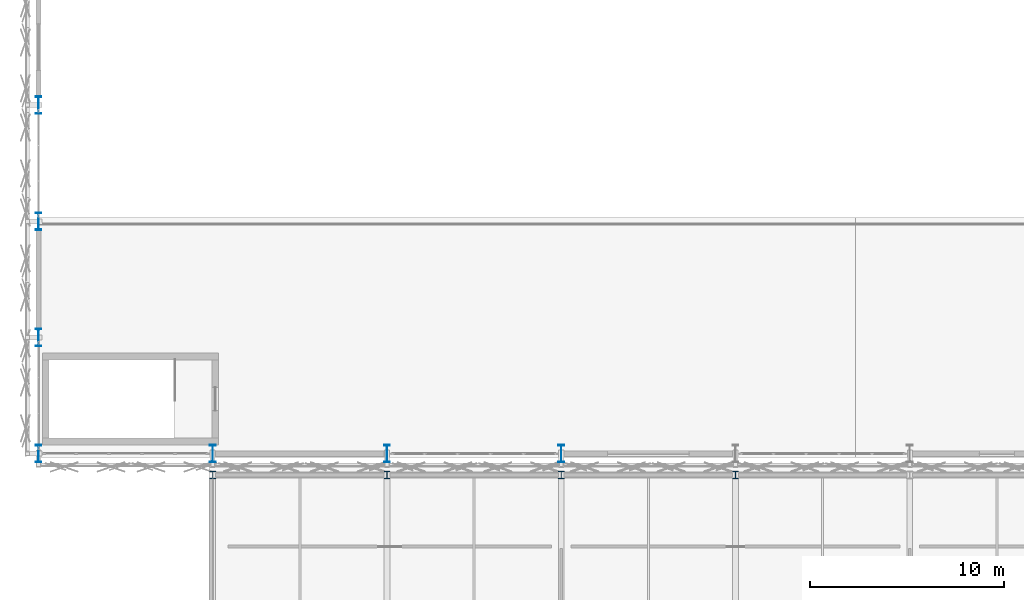
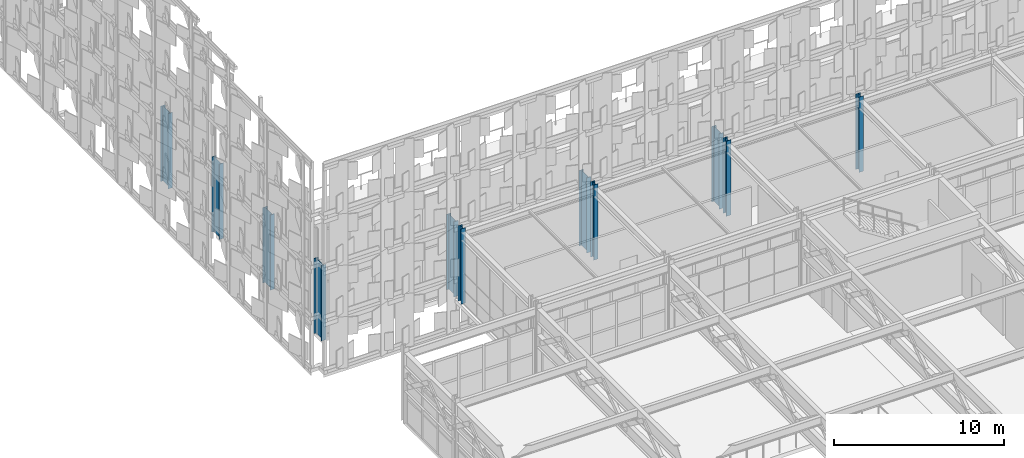
# One storey, part 3 of 210: 11 columns.
"""IFC4 building model written with IfcOpenShell, lengths in metres."""

from ifc_helpers import new_model, si_unit, direction, frame, origin, origin_2d, place, context, subcontext, project, spatial, i_section, extrude, material, material_profile, profile_set, type_object, element, save


model = new_model("IFC4")

# Units and contexts
model_context = context("Model", 3, precision=1e-05, world=origin(), true_north=direction((0.0, 1.0)))
body_context = subcontext(model_context, "Body", "Model", "MODEL_VIEW")
ifc_project = project(units=[si_unit("LENGTHUNIT", "METRE"), si_unit("AREAUNIT", "SQUARE_METRE"), si_unit("VOLUMEUNIT", "CUBIC_METRE"), si_unit("PLANEANGLEUNIT", "RADIAN"), si_unit("MASSUNIT", "GRAM", prefix="KILO")], contexts=[model_context])

# Site, building, storey
site_placement = place(None, origin())
site = spatial("IfcSite", under=ifc_project, at=site_placement, CompositionType="ELEMENT")
building_placement = place(site_placement, origin())
building = spatial("IfcBuilding", under=site, at=building_placement, Name="Kaldris Quays Convention Centre", CompositionType="ELEMENT")
storey_placement = place(building_placement, frame((0.0, 0.0, 6.0)))
storey = spatial("IfcBuildingStorey", under=building, at=storey_placement, Name="L01", CompositionType="ELEMENT", Elevation=6.0)

# Columns
ifc_material = material(Name="Steel S355J2", Category="steel")
ifc_material_profile_1 = material_profile(ifc_material, i_section(OverallWidth=0.300048828125, OverallDepth=0.89990234375, WebThickness=0.0185546875, FlangeThickness=0.034912109375, FilletRadius=0.030029296875, at=origin_2d()), Name="HEB 900")
ifc_profile_set_1 = profile_set([ifc_material_profile_1], Name="Steel S355J2")
column_type_1 = type_object("IfcColumnType", Name="STRUCTURAL COLUMN CL03", PredefinedType="COLUMN", material=ifc_profile_set_1)
for number, where, z_axis, x_axis, name in (
    (1, (20.0, 56.0, 0.0), (0.0, 0.0, 1.0), (1.0, 0.0, 0.0), "L01 V1 Column CL03 (20.00, 56.00)"),
    (2, (20.0, 62.0, 0.0), (0.0, 0.0, 1.0), (1.0, 0.0, 0.0), "L01 V1 Column CL03 (20.00, 62.00)"),
    (3, (20.0, 68.0, 0.0), (0.0, 0.0, 1.0), (1.0, 0.0, 0.0), "L01 V1 Column CL03 (20.00, 68.00)"),
    (4, (20.0, 74.0, 0.0), (0.0, 0.0, 1.0), (1.0, 0.0, 0.0), "L01 V1 Column CL03 (20.00, 74.00)"),
    (5, (29.0, 56.0, 0.0), (0.0, 0.0, 1.0), (1.0, 0.0, 0.0), "L01 V1 Column CL03 (29.00, 56.00)"),
    (6, (38.0, 56.0, 0.0), (0.0, 0.0, 1.0), (1.0, 0.0, 0.0), "L01 V1 Column CL03 (38.00, 56.00)"),
    (7, (47.0, 56.0, 0.0), (0.0, 0.0, 1.0), (1.0, 0.0, 0.0), "L01 V1 Column CL03 (47.00, 56.00)"),
):
    element("IfcColumn", number, at=place(storey_placement, frame(where, z_axis=z_axis, x_axis=x_axis)), inside=storey, type_object=column_type_1, Name=name, PredefinedType="COLUMN", context=body_context, shape_type="SweptSolid", body=[
        extrude(i_section(OverallWidth=0.300048828125, OverallDepth=0.89990234375, WebThickness=0.0185546875, FlangeThickness=0.034912109375, FilletRadius=0.030029296875, at=origin_2d()), origin(), (0.0, 0.0, 1.0), 5.39990234375),
    ])
ifc_material_profile_2 = material_profile(ifc_material, i_section(OverallWidth=0.300048828125, OverallDepth=0.389892578125, WebThickness=0.010986328125, FlangeThickness=0.01904296875, FilletRadius=0.027099609375, at=origin_2d()), Name="HEA 400")
ifc_profile_set_2 = profile_set([ifc_material_profile_2], Name="Steel S355J2")
column_type_2 = type_object("IfcColumnType", Name="STRUCTURAL COLUMN CL12", PredefinedType="COLUMN", material=ifc_profile_set_2)
for number, where, z_axis, x_axis, name in (
    (8, (29.0, 54.89990234375, 0.0), (0.0, 0.0, 1.0), (1.0, 0.0, 0.0), "L01 V4 Column CL12 (29.00, 54.90)"),
    (9, (38.0, 54.89990234375, 0.0), (0.0, 0.0, 1.0), (1.0, 0.0, 0.0), "L01 V4 Column CL12 (38.00, 54.90)"),
    (10, (47.0, 54.89990234375, 0.0), (0.0, 0.0, 1.0), (1.0, 0.0, 0.0), "L01 V4 Column CL12 (47.00, 54.90)"),
    (11, (56.0, 54.89990234375, 0.0), (0.0, 0.0, 1.0), (1.0, 0.0, 0.0), "L01 V4 Column CL12 (56.00, 54.90)"),
):
    element("IfcColumn", number, at=place(storey_placement, frame(where, z_axis=z_axis, x_axis=x_axis)), inside=storey, type_object=column_type_2, Name=name, PredefinedType="COLUMN", context=body_context, shape_type="SweptSolid", body=[
        extrude(i_section(OverallWidth=0.300048828125, OverallDepth=0.389892578125, WebThickness=0.010986328125, FlangeThickness=0.01904296875, FilletRadius=0.027099609375, at=origin_2d()), origin(), (0.0, 0.0, 1.0), 5.39990234375),
    ])

save(model, "model.ifc")
